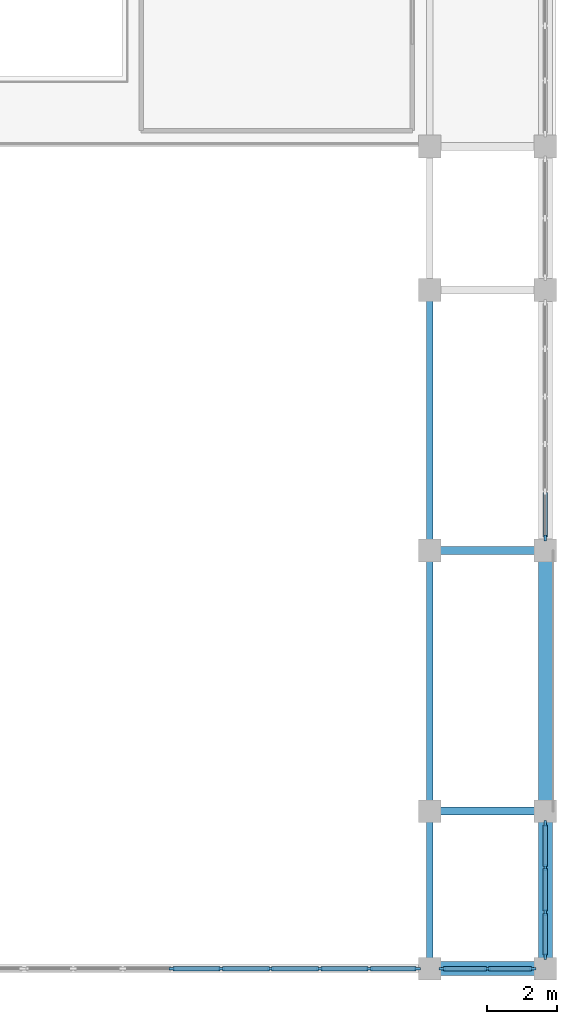
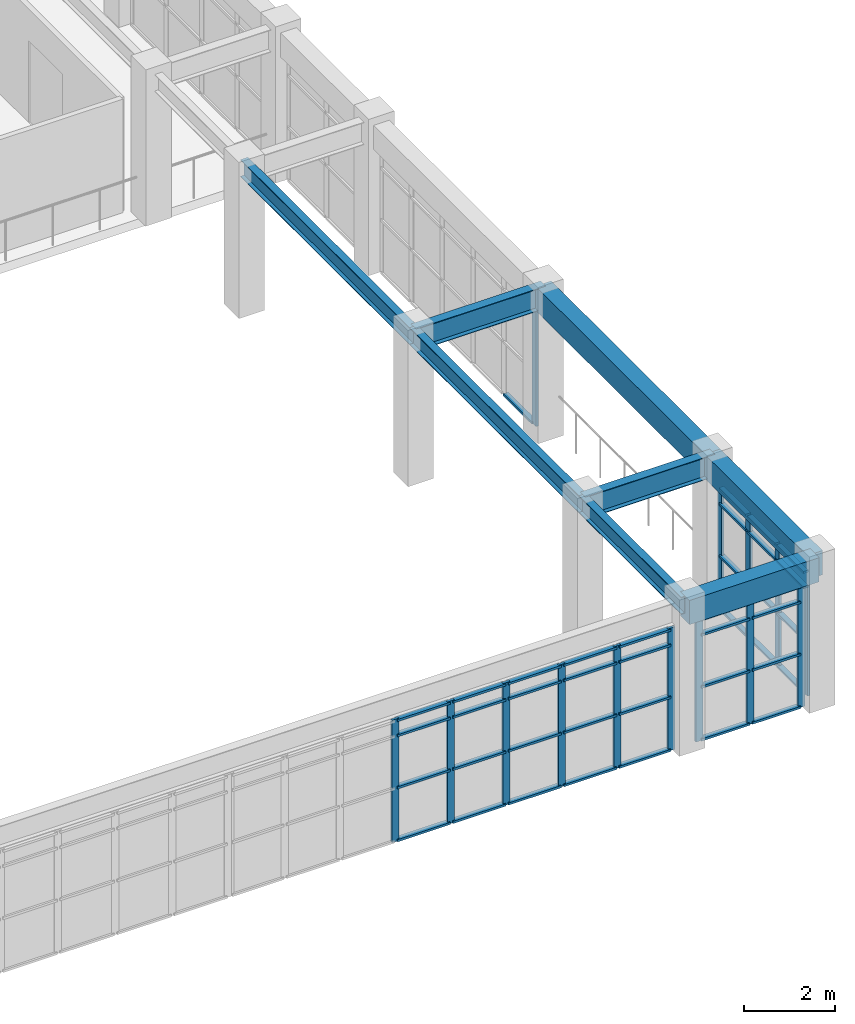
# One storey, part 21 of 66: 55 members, 8 beams, 4 elements without a shape of their own.
"""IFC4 building model written with IfcOpenShell, lengths in metres."""

from ifc_helpers import new_model, si_unit, direction, frame, origin, origin_2d, place, context, subcontext, project, spatial, rectangle, i_section, extrude, material, layer, layer_set, material_profile, profile_set, type_object, element, aggregate, save


model = new_model("IFC4")

# Units and contexts
model_context = context("Model", 3, precision=1e-05, world=origin(), true_north=direction((0.0, 1.0)))
body_context = subcontext(model_context, "Body", "Model", "MODEL_VIEW")
ifc_project = project(units=[si_unit("LENGTHUNIT", "METRE"), si_unit("AREAUNIT", "SQUARE_METRE"), si_unit("VOLUMEUNIT", "CUBIC_METRE"), si_unit("PLANEANGLEUNIT", "RADIAN"), si_unit("MASSUNIT", "GRAM", prefix="KILO")], contexts=[model_context])

# Site, building, storey
site_placement = place(None, origin())
site = spatial("IfcSite", under=ifc_project, at=site_placement, CompositionType="ELEMENT")
building_placement = place(site_placement, origin())
building = spatial("IfcBuilding", under=site, at=building_placement, Name="Candilejo Ridge Gondola Terminal", CompositionType="ELEMENT")
storey_placement = place(building_placement, frame((0.0, 0.0, 14.39990234375)))
storey = spatial("IfcBuildingStorey", under=building, at=storey_placement, Name="L03", CompositionType="ELEMENT", Elevation=14.39990234375)

# Curtain wall, members
ifc_material_1 = material(Name="Anodised aluminium AA 6063-T6", Category="aluminium")
ifc_layer_1 = layer(ifc_material_1, 0.169921875)
ifc_layer_set_1 = layer_set([ifc_layer_1], Name="ARC-CW-HALL-3800-385X329")
curtain_wall_type_1 = type_object("IfcCurtainWallType", Name="ARC-CW-HALL-3800-385X329", PredefinedType="NOTDEFINED", material=ifc_layer_set_1)
curtain_wall_1_placement = place(storey_placement, origin())
curtain_wall_1 = element("IfcCurtainWall", 1, at=curtain_wall_1_placement, inside=storey, type_object=curtain_wall_type_1, Name="Curtain wall V4 L03-153", PredefinedType="NOTDEFINED")
ifc_material_2 = material(Name="Anodised aluminium AA 6063-T6", Category="aluminium")
ifc_material_profile_1 = material_profile(ifc_material_2, rectangle(XDim=0.06494140625, YDim=0.179931640625, at=origin_2d()))
ifc_profile_set_1 = profile_set([ifc_material_profile_1], Name="Anodised aluminium AA 6063-T6")
member_type_1 = type_object("IfcMemberType", Name="ARC-CW-MULLION-180", PredefinedType="MULLION", material=ifc_profile_set_1)
member_1_placement = place(storey_placement, frame((175.300048828125, 6.657470703125, 0.0), z_axis=(0.0, 0.0, 1.0), x_axis=(-1.0, 0.0, 0.0)))
member_1 = element("IfcMember", 2, at=member_1_placement, type_object=member_type_1, Name="CW-38X32 mullion 1", PredefinedType="MULLION", context=body_context, shape_type="SweptSolid", body=[
    extrude(rectangle(XDim=0.06494140625, YDim=0.179931640625, at=origin_2d()), origin(), (0.0, 0.0, 1.0), 3.2900390625),
])
member_2_placement = place(storey_placement, frame((175.300048828125, 7.908447265625, 0.0), z_axis=(0.0, 0.0, 1.0), x_axis=(-1.0, 0.0, 0.0)))
member_2 = element("IfcMember", 3, at=member_2_placement, type_object=member_type_1, Name="CW-38X32 mullion 2", PredefinedType="MULLION", context=body_context, shape_type="SweptSolid", body=[
    extrude(rectangle(XDim=0.06494140625, YDim=0.179931640625, at=origin_2d()), origin(), (0.0, 0.0, 1.0), 3.2900390625),
])
member_3_placement = place(storey_placement, frame((175.300048828125, 9.191650390625, 0.0), z_axis=(0.0, 0.0, 1.0), x_axis=(-1.0, 0.0, 0.0)))
member_3 = element("IfcMember", 4, at=member_3_placement, type_object=member_type_1, Name="CW-38X32 mullion 3", PredefinedType="MULLION", context=body_context, shape_type="SweptSolid", body=[
    extrude(rectangle(XDim=0.06494140625, YDim=0.179931640625, at=origin_2d()), origin(), (0.0, 0.0, 1.0), 3.2900390625),
])
member_4_placement = place(storey_placement, frame((175.300048828125, 10.4423828125, 0.0), z_axis=(0.0, 0.0, 1.0), x_axis=(-1.0, 0.0, 0.0)))
member_4 = element("IfcMember", 5, at=member_4_placement, type_object=member_type_1, Name="CW-38X32 mullion 4", PredefinedType="MULLION", context=body_context, shape_type="SweptSolid", body=[
    extrude(rectangle(XDim=0.06494140625, YDim=0.179931640625, at=origin_2d()), origin(), (0.0, 0.0, 1.0), 3.2900390625),
])

# Curtain wall, member
ifc_material_3 = material(Name="Anodised aluminium AA 6063-T6", Category="aluminium")
ifc_layer_2 = layer(ifc_material_3, 0.169921875)
ifc_layer_set_2 = layer_set([ifc_layer_2], Name="ARC-CW-HALL-3800-680X329")
curtain_wall_type_2 = type_object("IfcCurtainWallType", Name="ARC-CW-HALL-3800-680X329", PredefinedType="NOTDEFINED", material=ifc_layer_set_2)
curtain_wall_2_placement = place(storey_placement, origin())
curtain_wall_2 = element("IfcCurtainWall", 6, at=curtain_wall_2_placement, inside=storey, type_object=curtain_wall_type_2, Name="Curtain wall V4 L03-156", PredefinedType="NOTDEFINED")
member_5_placement = place(storey_placement, frame((175.300048828125, 18.607421875, 0.0), z_axis=(0.0, 0.0, 1.0), x_axis=(-1.0, 0.0, 0.0)))
member_5 = element("IfcMember", 7, at=member_5_placement, type_object=member_type_1, Name="CW-68X32 mullion 1", PredefinedType="MULLION", context=body_context, shape_type="SweptSolid", body=[
    extrude(rectangle(XDim=0.06494140625, YDim=0.179931640625, at=origin_2d()), origin(), (0.0, 0.0, 1.0), 3.2900390625),
])

# Curtain wall, members
ifc_material_4 = material(Name="Anodised aluminium AA 6063-T6", Category="aluminium")
ifc_layer_3 = layer(ifc_material_4, 0.169921875)
ifc_layer_set_3 = layer_set([ifc_layer_3], Name="ARC-CW-HALL-3800-265X329")
curtain_wall_type_3 = type_object("IfcCurtainWallType", Name="ARC-CW-HALL-3800-265X329", PredefinedType="NOTDEFINED", material=ifc_layer_set_3)
curtain_wall_3_placement = place(storey_placement, origin())
curtain_wall_3 = element("IfcCurtainWall", 8, at=curtain_wall_3_placement, inside=storey, type_object=curtain_wall_type_3, Name="Curtain wall V4 L03-165", PredefinedType="NOTDEFINED")
member_6_placement = place(storey_placement, frame((172.357421875, 6.300048828125, 0.0), z_axis=(0.0, 0.0, 1.0), x_axis=(0.0, 1.0, 0.0)))
member_6 = element("IfcMember", 9, at=member_6_placement, type_object=member_type_1, Name="CW-26X32 mullion 1", PredefinedType="MULLION", context=body_context, shape_type="SweptSolid", body=[
    extrude(rectangle(XDim=0.06494140625, YDim=0.179931640625, at=origin_2d()), origin(), (0.0, 0.0, 1.0), 3.2900390625),
])
member_7_placement = place(storey_placement, frame((173.64990234375, 6.300048828125, 0.0), z_axis=(0.0, 0.0, 1.0), x_axis=(0.0, 1.0, 0.0)))
member_7 = element("IfcMember", 10, at=member_7_placement, type_object=member_type_1, Name="CW-26X32 mullion 2", PredefinedType="MULLION", context=body_context, shape_type="SweptSolid", body=[
    extrude(rectangle(XDim=0.06494140625, YDim=0.179931640625, at=origin_2d()), origin(), (0.0, 0.0, 1.0), 3.2900390625),
])
member_8_placement = place(storey_placement, frame((174.9423828125, 6.300048828125, 0.0), z_axis=(0.0, 0.0, 1.0), x_axis=(0.0, 1.0, 0.0)))
member_8 = element("IfcMember", 11, at=member_8_placement, type_object=member_type_1, Name="CW-26X32 mullion 3", PredefinedType="MULLION", context=body_context, shape_type="SweptSolid", body=[
    extrude(rectangle(XDim=0.06494140625, YDim=0.179931640625, at=origin_2d()), origin(), (0.0, 0.0, 1.0), 3.2900390625),
])

ifc_material_5 = material(Name="Anodised aluminium AA 6063-T6", Category="aluminium")
ifc_layer_4 = layer(ifc_material_5, 0.169921875)
ifc_layer_set_4 = layer_set([ifc_layer_4], Name="ARC-CW-HALL-3800-1128X329")
curtain_wall_type_4 = type_object("IfcCurtainWallType", Name="ARC-CW-HALL-3800-1128X329", PredefinedType="NOTDEFINED", material=ifc_layer_set_4)
curtain_wall_4_placement = place(storey_placement, origin())
curtain_wall_4 = element("IfcCurtainWall", 12, at=curtain_wall_4_placement, inside=storey, type_object=curtain_wall_type_4, Name="Curtain wall V4 L03-168", PredefinedType="NOTDEFINED")
member_9_placement = place(storey_placement, frame((164.628173828125, 6.300048828125, 0.0), z_axis=(0.0, 0.0, 1.0), x_axis=(0.0, 1.0, 0.0)))
member_9 = element("IfcMember", 13, at=member_9_placement, type_object=member_type_1, Name="CW-112X32 mullion 4", PredefinedType="MULLION", context=body_context, shape_type="SweptSolid", body=[
    extrude(rectangle(XDim=0.06494140625, YDim=0.179931640625, at=origin_2d()), origin(), (0.0, 0.0, 1.0), 3.2900390625),
])
member_10_placement = place(storey_placement, frame((166.03759765625, 6.300048828125, 0.0), z_axis=(0.0, 0.0, 1.0), x_axis=(0.0, 1.0, 0.0)))
member_10 = element("IfcMember", 14, at=member_10_placement, type_object=member_type_1, Name="CW-112X32 mullion 5", PredefinedType="MULLION", context=body_context, shape_type="SweptSolid", body=[
    extrude(rectangle(XDim=0.06494140625, YDim=0.179931640625, at=origin_2d()), origin(), (0.0, 0.0, 1.0), 3.2900390625),
])
member_11_placement = place(storey_placement, frame((167.44677734375, 6.300048828125, 0.0), z_axis=(0.0, 0.0, 1.0), x_axis=(0.0, 1.0, 0.0)))
member_11 = element("IfcMember", 15, at=member_11_placement, type_object=member_type_1, Name="CW-112X32 mullion 6", PredefinedType="MULLION", context=body_context, shape_type="SweptSolid", body=[
    extrude(rectangle(XDim=0.06494140625, YDim=0.179931640625, at=origin_2d()), origin(), (0.0, 0.0, 1.0), 3.2900390625),
])
member_12_placement = place(storey_placement, frame((168.856201171875, 6.300048828125, 0.0), z_axis=(0.0, 0.0, 1.0), x_axis=(0.0, 1.0, 0.0)))
member_12 = element("IfcMember", 16, at=member_12_placement, type_object=member_type_1, Name="CW-112X32 mullion 7", PredefinedType="MULLION", context=body_context, shape_type="SweptSolid", body=[
    extrude(rectangle(XDim=0.06494140625, YDim=0.179931640625, at=origin_2d()), origin(), (0.0, 0.0, 1.0), 3.2900390625),
])
member_13_placement = place(storey_placement, frame((170.265625, 6.300048828125, 0.0), z_axis=(0.0, 0.0, 1.0), x_axis=(0.0, 1.0, 0.0)))
member_13 = element("IfcMember", 17, at=member_13_placement, type_object=member_type_1, Name="CW-112X32 mullion 8", PredefinedType="MULLION", context=body_context, shape_type="SweptSolid", body=[
    extrude(rectangle(XDim=0.06494140625, YDim=0.179931640625, at=origin_2d()), origin(), (0.0, 0.0, 1.0), 3.2900390625),
])
member_14_placement = place(storey_placement, frame((171.642578125, 6.300048828125, 0.0), z_axis=(0.0, 0.0, 1.0), x_axis=(0.0, 1.0, 0.0)))
member_14 = element("IfcMember", 18, at=member_14_placement, type_object=member_type_1, Name="CW-112X32 mullion 9", PredefinedType="MULLION", context=body_context, shape_type="SweptSolid", body=[
    extrude(rectangle(XDim=0.06494140625, YDim=0.179931640625, at=origin_2d()), origin(), (0.0, 0.0, 1.0), 3.2900390625),
])

# Member
ifc_material_6 = material(Name="Anodised aluminium AA 6063-T6", Category="aluminium")
ifc_material_profile_2 = material_profile(ifc_material_6, rectangle(XDim=0.1298828125, YDim=0.06005859375, at=origin_2d()))
ifc_profile_set_2 = profile_set([ifc_material_profile_2], Name="Anodised aluminium AA 6063-T6")
member_type_2 = type_object("IfcMemberType", Name="ARC-CW-TRANSOM-130", PredefinedType="USERDEFINED", material=ifc_profile_set_2)
member_15_placement = place(storey_placement, frame((175.300048828125, 6.68994140625, 0.030029296875), z_axis=(0.0, 1.0, 0.0), x_axis=(-1.0, 0.0, 0.0)))
member_15 = element("IfcMember", 19, at=member_15_placement, type_object=member_type_2, Name="CW-38X32 transom 1.1", ObjectType="TRANSOM", PredefinedType="USERDEFINED", context=body_context, shape_type="SweptSolid", body=[
    extrude(rectangle(XDim=0.1298828125, YDim=0.06005859375, at=origin_2d()), origin(), (0.0, 0.0, 1.0), 1.185791015625),
])

member_16_placement = place(storey_placement, frame((175.300048828125, 6.68994140625, 1.4501953125), z_axis=(0.0, 1.0, 0.0), x_axis=(-1.0, 0.0, 0.0)))
member_16 = element("IfcMember", 20, at=member_16_placement, type_object=member_type_2, Name="CW-38X32 transom 1.2", ObjectType="TRANSOM", PredefinedType="USERDEFINED", context=body_context, shape_type="SweptSolid", body=[
    extrude(rectangle(XDim=0.1298828125, YDim=0.06005859375, at=origin_2d()), origin(), (0.0, 0.0, 1.0), 1.185791015625),
])

member_17_placement = place(storey_placement, frame((175.300048828125, 6.68994140625, 2.85009765625), z_axis=(0.0, 1.0, 0.0), x_axis=(-1.0, 0.0, 0.0)))
member_17 = element("IfcMember", 21, at=member_17_placement, type_object=member_type_2, Name="CW-38X32 transom 1.3", ObjectType="TRANSOM", PredefinedType="USERDEFINED", context=body_context, shape_type="SweptSolid", body=[
    extrude(rectangle(XDim=0.1298828125, YDim=0.06005859375, at=origin_2d()), origin(), (0.0, 0.0, 1.0), 1.185791015625),
])

member_18_placement = place(storey_placement, frame((175.300048828125, 6.68994140625, 3.260009765625), z_axis=(0.0, 1.0, 0.0), x_axis=(-1.0, 0.0, 0.0)))
member_18 = element("IfcMember", 22, at=member_18_placement, type_object=member_type_2, Name="CW-38X32 transom 1.4", ObjectType="TRANSOM", PredefinedType="USERDEFINED", context=body_context, shape_type="SweptSolid", body=[
    extrude(rectangle(XDim=0.1298828125, YDim=0.06005859375, at=origin_2d()), origin(), (0.0, 0.0, 1.0), 1.185791015625),
])

member_19_placement = place(storey_placement, frame((175.300048828125, 7.94091796875, 0.030029296875), z_axis=(0.0, 1.0, 0.0), x_axis=(-1.0, 0.0, 0.0)))
member_19 = element("IfcMember", 23, at=member_19_placement, type_object=member_type_2, Name="CW-38X32 transom 2.1", ObjectType="TRANSOM", PredefinedType="USERDEFINED", context=body_context, shape_type="SweptSolid", body=[
    extrude(rectangle(XDim=0.1298828125, YDim=0.06005859375, at=origin_2d()), origin(), (0.0, 0.0, 1.0), 1.21826171875),
])

member_20_placement = place(storey_placement, frame((175.300048828125, 7.94091796875, 1.4501953125), z_axis=(0.0, 1.0, 0.0), x_axis=(-1.0, 0.0, 0.0)))
member_20 = element("IfcMember", 24, at=member_20_placement, type_object=member_type_2, Name="CW-38X32 transom 2.2", ObjectType="TRANSOM", PredefinedType="USERDEFINED", context=body_context, shape_type="SweptSolid", body=[
    extrude(rectangle(XDim=0.1298828125, YDim=0.06005859375, at=origin_2d()), origin(), (0.0, 0.0, 1.0), 1.21826171875),
])

member_21_placement = place(storey_placement, frame((175.300048828125, 7.94091796875, 2.85009765625), z_axis=(0.0, 1.0, 0.0), x_axis=(-1.0, 0.0, 0.0)))
member_21 = element("IfcMember", 25, at=member_21_placement, type_object=member_type_2, Name="CW-38X32 transom 2.3", ObjectType="TRANSOM", PredefinedType="USERDEFINED", context=body_context, shape_type="SweptSolid", body=[
    extrude(rectangle(XDim=0.1298828125, YDim=0.06005859375, at=origin_2d()), origin(), (0.0, 0.0, 1.0), 1.21826171875),
])

member_22_placement = place(storey_placement, frame((175.300048828125, 7.94091796875, 3.260009765625), z_axis=(0.0, 1.0, 0.0), x_axis=(-1.0, 0.0, 0.0)))
member_22 = element("IfcMember", 26, at=member_22_placement, type_object=member_type_2, Name="CW-38X32 transom 2.4", ObjectType="TRANSOM", PredefinedType="USERDEFINED", context=body_context, shape_type="SweptSolid", body=[
    extrude(rectangle(XDim=0.1298828125, YDim=0.06005859375, at=origin_2d()), origin(), (0.0, 0.0, 1.0), 1.21826171875),
])

member_23_placement = place(storey_placement, frame((175.300048828125, 9.22412109375, 0.030029296875), z_axis=(0.0, 1.0, 0.0), x_axis=(-1.0, 0.0, 0.0)))
member_23 = element("IfcMember", 27, at=member_23_placement, type_object=member_type_2, Name="CW-38X32 transom 3.1", ObjectType="TRANSOM", PredefinedType="USERDEFINED", context=body_context, shape_type="SweptSolid", body=[
    extrude(rectangle(XDim=0.1298828125, YDim=0.06005859375, at=origin_2d()), origin(), (0.0, 0.0, 1.0), 1.185791015625),
])

member_24_placement = place(storey_placement, frame((175.300048828125, 9.22412109375, 1.4501953125), z_axis=(0.0, 1.0, 0.0), x_axis=(-1.0, 0.0, 0.0)))
member_24 = element("IfcMember", 28, at=member_24_placement, type_object=member_type_2, Name="CW-38X32 transom 3.2", ObjectType="TRANSOM", PredefinedType="USERDEFINED", context=body_context, shape_type="SweptSolid", body=[
    extrude(rectangle(XDim=0.1298828125, YDim=0.06005859375, at=origin_2d()), origin(), (0.0, 0.0, 1.0), 1.185791015625),
])

member_25_placement = place(storey_placement, frame((175.300048828125, 9.22412109375, 2.85009765625), z_axis=(0.0, 1.0, 0.0), x_axis=(-1.0, 0.0, 0.0)))
member_25 = element("IfcMember", 29, at=member_25_placement, type_object=member_type_2, Name="CW-38X32 transom 3.3", ObjectType="TRANSOM", PredefinedType="USERDEFINED", context=body_context, shape_type="SweptSolid", body=[
    extrude(rectangle(XDim=0.1298828125, YDim=0.06005859375, at=origin_2d()), origin(), (0.0, 0.0, 1.0), 1.185791015625),
])

member_26_placement = place(storey_placement, frame((175.300048828125, 9.22412109375, 3.260009765625), z_axis=(0.0, 1.0, 0.0), x_axis=(-1.0, 0.0, 0.0)))
member_26 = element("IfcMember", 30, at=member_26_placement, type_object=member_type_2, Name="CW-38X32 transom 3.4", ObjectType="TRANSOM", PredefinedType="USERDEFINED", context=body_context, shape_type="SweptSolid", body=[
    extrude(rectangle(XDim=0.1298828125, YDim=0.06005859375, at=origin_2d()), origin(), (0.0, 0.0, 1.0), 1.185791015625),
])

aggregate(curtain_wall_1, [member_1, member_2, member_3, member_4, member_15, member_16, member_17, member_18, member_19, member_20, member_21, member_22, member_23, member_24, member_25, member_26])

member_27_placement = place(storey_placement, frame((175.300048828125, 18.639892578125, 0.030029296875), z_axis=(0.0, 1.0, 0.0), x_axis=(-1.0, 0.0, 0.0)))
member_27 = element("IfcMember", 31, at=member_27_placement, type_object=member_type_2, Name="CW-68X32 transom 1.1", ObjectType="TRANSOM", PredefinedType="USERDEFINED", context=body_context, shape_type="SweptSolid", body=[
    extrude(rectangle(XDim=0.1298828125, YDim=0.06005859375, at=origin_2d()), origin(), (0.0, 0.0, 1.0), 1.2626953125),
])

aggregate(curtain_wall_2, [member_5, member_27])

member_28_placement = place(storey_placement, frame((172.389892578125, 6.300048828125, 0.030029296875), z_axis=(1.0, 0.0, 0.0), x_axis=(0.0, 1.0, 0.0)))
member_28 = element("IfcMember", 32, at=member_28_placement, type_object=member_type_2, Name="CW-26X32 transom 1.1", ObjectType="TRANSOM", PredefinedType="USERDEFINED", context=body_context, shape_type="SweptSolid", body=[
    extrude(rectangle(XDim=0.1298828125, YDim=0.06005859375, at=origin_2d()), origin(), (0.0, 0.0, 1.0), 1.2275390625),
])

member_29_placement = place(storey_placement, frame((172.389892578125, 6.300048828125, 1.4501953125), z_axis=(1.0, 0.0, 0.0), x_axis=(0.0, 1.0, 0.0)))
member_29 = element("IfcMember", 33, at=member_29_placement, type_object=member_type_2, Name="CW-26X32 transom 1.2", ObjectType="TRANSOM", PredefinedType="USERDEFINED", context=body_context, shape_type="SweptSolid", body=[
    extrude(rectangle(XDim=0.1298828125, YDim=0.06005859375, at=origin_2d()), origin(), (0.0, 0.0, 1.0), 1.2275390625),
])

member_30_placement = place(storey_placement, frame((172.389892578125, 6.300048828125, 2.85009765625), z_axis=(1.0, 0.0, 0.0), x_axis=(0.0, 1.0, 0.0)))
member_30 = element("IfcMember", 34, at=member_30_placement, type_object=member_type_2, Name="CW-26X32 transom 1.3", ObjectType="TRANSOM", PredefinedType="USERDEFINED", context=body_context, shape_type="SweptSolid", body=[
    extrude(rectangle(XDim=0.1298828125, YDim=0.06005859375, at=origin_2d()), origin(), (0.0, 0.0, 1.0), 1.2275390625),
])

member_31_placement = place(storey_placement, frame((172.389892578125, 6.300048828125, 3.260009765625), z_axis=(1.0, 0.0, 0.0), x_axis=(0.0, 1.0, 0.0)))
member_31 = element("IfcMember", 35, at=member_31_placement, type_object=member_type_2, Name="CW-26X32 transom 1.4", ObjectType="TRANSOM", PredefinedType="USERDEFINED", context=body_context, shape_type="SweptSolid", body=[
    extrude(rectangle(XDim=0.1298828125, YDim=0.06005859375, at=origin_2d()), origin(), (0.0, 0.0, 1.0), 1.2275390625),
])

member_32_placement = place(storey_placement, frame((173.6826171875, 6.300048828125, 0.030029296875), z_axis=(1.0, 0.0, 0.0), x_axis=(0.0, 1.0, 0.0)))
member_32 = element("IfcMember", 36, at=member_32_placement, type_object=member_type_2, Name="CW-26X32 transom 2.1", ObjectType="TRANSOM", PredefinedType="USERDEFINED", context=body_context, shape_type="SweptSolid", body=[
    extrude(rectangle(XDim=0.1298828125, YDim=0.06005859375, at=origin_2d()), origin(), (0.0, 0.0, 1.0), 1.227294921875),
])

member_33_placement = place(storey_placement, frame((173.6826171875, 6.300048828125, 1.4501953125), z_axis=(1.0, 0.0, 0.0), x_axis=(0.0, 1.0, 0.0)))
member_33 = element("IfcMember", 37, at=member_33_placement, type_object=member_type_2, Name="CW-26X32 transom 2.2", ObjectType="TRANSOM", PredefinedType="USERDEFINED", context=body_context, shape_type="SweptSolid", body=[
    extrude(rectangle(XDim=0.1298828125, YDim=0.06005859375, at=origin_2d()), origin(), (0.0, 0.0, 1.0), 1.227294921875),
])

member_34_placement = place(storey_placement, frame((173.6826171875, 6.300048828125, 2.85009765625), z_axis=(1.0, 0.0, 0.0), x_axis=(0.0, 1.0, 0.0)))
member_34 = element("IfcMember", 38, at=member_34_placement, type_object=member_type_2, Name="CW-26X32 transom 2.3", ObjectType="TRANSOM", PredefinedType="USERDEFINED", context=body_context, shape_type="SweptSolid", body=[
    extrude(rectangle(XDim=0.1298828125, YDim=0.06005859375, at=origin_2d()), origin(), (0.0, 0.0, 1.0), 1.227294921875),
])

member_35_placement = place(storey_placement, frame((173.6826171875, 6.300048828125, 3.260009765625), z_axis=(1.0, 0.0, 0.0), x_axis=(0.0, 1.0, 0.0)))
member_35 = element("IfcMember", 39, at=member_35_placement, type_object=member_type_2, Name="CW-26X32 transom 2.4", ObjectType="TRANSOM", PredefinedType="USERDEFINED", context=body_context, shape_type="SweptSolid", body=[
    extrude(rectangle(XDim=0.1298828125, YDim=0.06005859375, at=origin_2d()), origin(), (0.0, 0.0, 1.0), 1.227294921875),
])

aggregate(curtain_wall_3, [member_6, member_7, member_8, member_28, member_29, member_30, member_31, member_32, member_33, member_34, member_35])

member_36_placement = place(storey_placement, frame((164.66064453125, 6.300048828125, 0.030029296875), z_axis=(1.0, 0.0, 0.0), x_axis=(0.0, 1.0, 0.0)))
member_36 = element("IfcMember", 40, at=member_36_placement, type_object=member_type_2, Name="CW-112X32 transom 4.1", ObjectType="TRANSOM", PredefinedType="USERDEFINED", context=body_context, shape_type="SweptSolid", body=[
    extrude(rectangle(XDim=0.1298828125, YDim=0.06005859375, at=origin_2d()), origin(), (0.0, 0.0, 1.0), 1.34423828125),
])

member_37_placement = place(storey_placement, frame((164.66064453125, 6.300048828125, 1.4501953125), z_axis=(1.0, 0.0, 0.0), x_axis=(0.0, 1.0, 0.0)))
member_37 = element("IfcMember", 41, at=member_37_placement, type_object=member_type_2, Name="CW-112X32 transom 4.2", ObjectType="TRANSOM", PredefinedType="USERDEFINED", context=body_context, shape_type="SweptSolid", body=[
    extrude(rectangle(XDim=0.1298828125, YDim=0.06005859375, at=origin_2d()), origin(), (0.0, 0.0, 1.0), 1.34423828125),
])

member_38_placement = place(storey_placement, frame((164.66064453125, 6.300048828125, 2.85009765625), z_axis=(1.0, 0.0, 0.0), x_axis=(0.0, 1.0, 0.0)))
member_38 = element("IfcMember", 42, at=member_38_placement, type_object=member_type_2, Name="CW-112X32 transom 4.3", ObjectType="TRANSOM", PredefinedType="USERDEFINED", context=body_context, shape_type="SweptSolid", body=[
    extrude(rectangle(XDim=0.1298828125, YDim=0.06005859375, at=origin_2d()), origin(), (0.0, 0.0, 1.0), 1.34423828125),
])

member_39_placement = place(storey_placement, frame((164.66064453125, 6.300048828125, 3.260009765625), z_axis=(1.0, 0.0, 0.0), x_axis=(0.0, 1.0, 0.0)))
member_39 = element("IfcMember", 43, at=member_39_placement, type_object=member_type_2, Name="CW-112X32 transom 4.4", ObjectType="TRANSOM", PredefinedType="USERDEFINED", context=body_context, shape_type="SweptSolid", body=[
    extrude(rectangle(XDim=0.1298828125, YDim=0.06005859375, at=origin_2d()), origin(), (0.0, 0.0, 1.0), 1.34423828125),
])

member_40_placement = place(storey_placement, frame((166.070068359375, 6.300048828125, 0.030029296875), z_axis=(1.0, 0.0, 0.0), x_axis=(0.0, 1.0, 0.0)))
member_40 = element("IfcMember", 44, at=member_40_placement, type_object=member_type_2, Name="CW-112X32 transom 5.1", ObjectType="TRANSOM", PredefinedType="USERDEFINED", context=body_context, shape_type="SweptSolid", body=[
    extrude(rectangle(XDim=0.1298828125, YDim=0.06005859375, at=origin_2d()), origin(), (0.0, 0.0, 1.0), 1.34423828125),
])

member_41_placement = place(storey_placement, frame((166.070068359375, 6.300048828125, 1.4501953125), z_axis=(1.0, 0.0, 0.0), x_axis=(0.0, 1.0, 0.0)))
member_41 = element("IfcMember", 45, at=member_41_placement, type_object=member_type_2, Name="CW-112X32 transom 5.2", ObjectType="TRANSOM", PredefinedType="USERDEFINED", context=body_context, shape_type="SweptSolid", body=[
    extrude(rectangle(XDim=0.1298828125, YDim=0.06005859375, at=origin_2d()), origin(), (0.0, 0.0, 1.0), 1.34423828125),
])

member_42_placement = place(storey_placement, frame((166.070068359375, 6.300048828125, 2.85009765625), z_axis=(1.0, 0.0, 0.0), x_axis=(0.0, 1.0, 0.0)))
member_42 = element("IfcMember", 46, at=member_42_placement, type_object=member_type_2, Name="CW-112X32 transom 5.3", ObjectType="TRANSOM", PredefinedType="USERDEFINED", context=body_context, shape_type="SweptSolid", body=[
    extrude(rectangle(XDim=0.1298828125, YDim=0.06005859375, at=origin_2d()), origin(), (0.0, 0.0, 1.0), 1.34423828125),
])

member_43_placement = place(storey_placement, frame((166.070068359375, 6.300048828125, 3.260009765625), z_axis=(1.0, 0.0, 0.0), x_axis=(0.0, 1.0, 0.0)))
member_43 = element("IfcMember", 47, at=member_43_placement, type_object=member_type_2, Name="CW-112X32 transom 5.4", ObjectType="TRANSOM", PredefinedType="USERDEFINED", context=body_context, shape_type="SweptSolid", body=[
    extrude(rectangle(XDim=0.1298828125, YDim=0.06005859375, at=origin_2d()), origin(), (0.0, 0.0, 1.0), 1.34423828125),
])

member_44_placement = place(storey_placement, frame((167.4794921875, 6.300048828125, 0.030029296875), z_axis=(1.0, 0.0, 0.0), x_axis=(0.0, 1.0, 0.0)))
member_44 = element("IfcMember", 48, at=member_44_placement, type_object=member_type_2, Name="CW-112X32 transom 6.1", ObjectType="TRANSOM", PredefinedType="USERDEFINED", context=body_context, shape_type="SweptSolid", body=[
    extrude(rectangle(XDim=0.1298828125, YDim=0.06005859375, at=origin_2d()), origin(), (0.0, 0.0, 1.0), 1.34423828125),
])

member_45_placement = place(storey_placement, frame((167.4794921875, 6.300048828125, 1.4501953125), z_axis=(1.0, 0.0, 0.0), x_axis=(0.0, 1.0, 0.0)))
member_45 = element("IfcMember", 49, at=member_45_placement, type_object=member_type_2, Name="CW-112X32 transom 6.2", ObjectType="TRANSOM", PredefinedType="USERDEFINED", context=body_context, shape_type="SweptSolid", body=[
    extrude(rectangle(XDim=0.1298828125, YDim=0.06005859375, at=origin_2d()), origin(), (0.0, 0.0, 1.0), 1.34423828125),
])

member_46_placement = place(storey_placement, frame((167.4794921875, 6.300048828125, 2.85009765625), z_axis=(1.0, 0.0, 0.0), x_axis=(0.0, 1.0, 0.0)))
member_46 = element("IfcMember", 50, at=member_46_placement, type_object=member_type_2, Name="CW-112X32 transom 6.3", ObjectType="TRANSOM", PredefinedType="USERDEFINED", context=body_context, shape_type="SweptSolid", body=[
    extrude(rectangle(XDim=0.1298828125, YDim=0.06005859375, at=origin_2d()), origin(), (0.0, 0.0, 1.0), 1.34423828125),
])

member_47_placement = place(storey_placement, frame((167.4794921875, 6.300048828125, 3.260009765625), z_axis=(1.0, 0.0, 0.0), x_axis=(0.0, 1.0, 0.0)))
member_47 = element("IfcMember", 51, at=member_47_placement, type_object=member_type_2, Name="CW-112X32 transom 6.4", ObjectType="TRANSOM", PredefinedType="USERDEFINED", context=body_context, shape_type="SweptSolid", body=[
    extrude(rectangle(XDim=0.1298828125, YDim=0.06005859375, at=origin_2d()), origin(), (0.0, 0.0, 1.0), 1.34423828125),
])

member_48_placement = place(storey_placement, frame((168.888671875, 6.300048828125, 0.030029296875), z_axis=(1.0, 0.0, 0.0), x_axis=(0.0, 1.0, 0.0)))
member_48 = element("IfcMember", 52, at=member_48_placement, type_object=member_type_2, Name="CW-112X32 transom 7.1", ObjectType="TRANSOM", PredefinedType="USERDEFINED", context=body_context, shape_type="SweptSolid", body=[
    extrude(rectangle(XDim=0.1298828125, YDim=0.06005859375, at=origin_2d()), origin(), (0.0, 0.0, 1.0), 1.344482421875),
])

member_49_placement = place(storey_placement, frame((168.888671875, 6.300048828125, 1.4501953125), z_axis=(1.0, 0.0, 0.0), x_axis=(0.0, 1.0, 0.0)))
member_49 = element("IfcMember", 53, at=member_49_placement, type_object=member_type_2, Name="CW-112X32 transom 7.2", ObjectType="TRANSOM", PredefinedType="USERDEFINED", context=body_context, shape_type="SweptSolid", body=[
    extrude(rectangle(XDim=0.1298828125, YDim=0.06005859375, at=origin_2d()), origin(), (0.0, 0.0, 1.0), 1.344482421875),
])

member_50_placement = place(storey_placement, frame((168.888671875, 6.300048828125, 2.85009765625), z_axis=(1.0, 0.0, 0.0), x_axis=(0.0, 1.0, 0.0)))
member_50 = element("IfcMember", 54, at=member_50_placement, type_object=member_type_2, Name="CW-112X32 transom 7.3", ObjectType="TRANSOM", PredefinedType="USERDEFINED", context=body_context, shape_type="SweptSolid", body=[
    extrude(rectangle(XDim=0.1298828125, YDim=0.06005859375, at=origin_2d()), origin(), (0.0, 0.0, 1.0), 1.344482421875),
])

member_51_placement = place(storey_placement, frame((168.888671875, 6.300048828125, 3.260009765625), z_axis=(1.0, 0.0, 0.0), x_axis=(0.0, 1.0, 0.0)))
member_51 = element("IfcMember", 55, at=member_51_placement, type_object=member_type_2, Name="CW-112X32 transom 7.4", ObjectType="TRANSOM", PredefinedType="USERDEFINED", context=body_context, shape_type="SweptSolid", body=[
    extrude(rectangle(XDim=0.1298828125, YDim=0.06005859375, at=origin_2d()), origin(), (0.0, 0.0, 1.0), 1.344482421875),
])

member_52_placement = place(storey_placement, frame((170.298095703125, 6.300048828125, 0.030029296875), z_axis=(1.0, 0.0, 0.0), x_axis=(0.0, 1.0, 0.0)))
member_52 = element("IfcMember", 56, at=member_52_placement, type_object=member_type_2, Name="CW-112X32 transom 8.1", ObjectType="TRANSOM", PredefinedType="USERDEFINED", context=body_context, shape_type="SweptSolid", body=[
    extrude(rectangle(XDim=0.1298828125, YDim=0.06005859375, at=origin_2d()), origin(), (0.0, 0.0, 1.0), 1.31201171875),
])

member_53_placement = place(storey_placement, frame((170.298095703125, 6.300048828125, 1.4501953125), z_axis=(1.0, 0.0, 0.0), x_axis=(0.0, 1.0, 0.0)))
member_53 = element("IfcMember", 57, at=member_53_placement, type_object=member_type_2, Name="CW-112X32 transom 8.2", ObjectType="TRANSOM", PredefinedType="USERDEFINED", context=body_context, shape_type="SweptSolid", body=[
    extrude(rectangle(XDim=0.1298828125, YDim=0.06005859375, at=origin_2d()), origin(), (0.0, 0.0, 1.0), 1.31201171875),
])

member_54_placement = place(storey_placement, frame((170.298095703125, 6.300048828125, 2.85009765625), z_axis=(1.0, 0.0, 0.0), x_axis=(0.0, 1.0, 0.0)))
member_54 = element("IfcMember", 58, at=member_54_placement, type_object=member_type_2, Name="CW-112X32 transom 8.3", ObjectType="TRANSOM", PredefinedType="USERDEFINED", context=body_context, shape_type="SweptSolid", body=[
    extrude(rectangle(XDim=0.1298828125, YDim=0.06005859375, at=origin_2d()), origin(), (0.0, 0.0, 1.0), 1.31201171875),
])

member_55_placement = place(storey_placement, frame((170.298095703125, 6.300048828125, 3.260009765625), z_axis=(1.0, 0.0, 0.0), x_axis=(0.0, 1.0, 0.0)))
member_55 = element("IfcMember", 59, at=member_55_placement, type_object=member_type_2, Name="CW-112X32 transom 8.4", ObjectType="TRANSOM", PredefinedType="USERDEFINED", context=body_context, shape_type="SweptSolid", body=[
    extrude(rectangle(XDim=0.1298828125, YDim=0.06005859375, at=origin_2d()), origin(), (0.0, 0.0, 1.0), 1.31201171875),
])

aggregate(curtain_wall_4, [member_9, member_10, member_11, member_12, member_13, member_14, member_36, member_37, member_38, member_39, member_40, member_41, member_42, member_43, member_44, member_45, member_46, member_47, member_48, member_49, member_50, member_51, member_52, member_53, member_54, member_55])

# Beams
ifc_material_7 = material(Name="Steel ASTM A992 Grade 50", Category="steel")
ifc_material_profile_3 = material_profile(ifc_material_7, i_section(OverallWidth=0.19189453125, OverallDepth=0.462890625, WebThickness=0.010498046875, FlangeThickness=0.017578125, at=origin_2d()))
ifc_profile_set_3 = profile_set([ifc_material_profile_3], Name="Steel ASTM A992 Grade 50")
beam_type_1 = type_object("IfcBeamType", Name="STR-BM-W460X89", PredefinedType="BEAM", material=ifc_profile_set_3)
beam_1_placement = place(storey_placement, frame((172.0, 6.300048828125, 3.7685546875), z_axis=(0.0, 1.0, 0.0), x_axis=(-1.0, 0.0, 0.0)))
element("IfcBeam", 60, at=beam_1_placement, inside=storey, type_object=beam_type_1, Name="Beam Y V4 L03 Y01-Y02@X26", PredefinedType="BEAM", context=body_context, shape_type="SweptSolid", body=[
    extrude(i_section(OverallWidth=0.19189453125, OverallDepth=0.462890625, WebThickness=0.010498046875, FlangeThickness=0.017578125, at=origin_2d()), origin(), (0.0, 0.0, 1.0), 4.5),
])
for number, where, z_axis, x_axis, name in (
    (61, (172.0, 10.800048828125, 3.7685546875), (0.0, 1.0, 0.0), (-1.0, 0.0, 0.0), "Beam Y V4 L03 Y02-Y03@X26"),
    (62, (172.0, 18.25, 3.7685546875), (0.0, 1.0, 0.0), (-1.0, 0.0, 0.0), "Beam Y V4 L03 Y03-Y05@X26"),
):
    element("IfcBeam", number, at=place(storey_placement, frame(where, z_axis=z_axis, x_axis=x_axis)), inside=storey, type_object=beam_type_1, Name=name, PredefinedType="BEAM", context=body_context, shape_type="SweptSolid", body=[
        extrude(i_section(OverallWidth=0.19189453125, OverallDepth=0.462890625, WebThickness=0.010498046875, FlangeThickness=0.017578125, at=origin_2d()), origin(), (0.0, 0.0, 1.0), 7.449951171875),
    ])
ifc_material_8 = material(Name="Steel ASTM A992 Grade 50", Category="steel")
ifc_material_profile_4 = material_profile(ifc_material_8, i_section(OverallWidth=0.22802734375, OverallDepth=0.60302734375, WebThickness=0.010498046875, FlangeThickness=0.014892578125, at=origin_2d()))
ifc_profile_set_4 = profile_set([ifc_material_profile_4], Name="Steel ASTM A992 Grade 50")
beam_type_2 = type_object("IfcBeamType", Name="STR-BM-W610X101", PredefinedType="BEAM", material=ifc_profile_set_4)
for number, where, z_axis, x_axis, name in (
    (63, (172.0, 10.800048828125, 3.698486328125), (1.0, 0.0, 0.0), (0.0, 1.0, 0.0), "Beam X V4 L03 X26-X27@Y02"),
    (64, (172.0, 18.25, 3.698486328125), (1.0, 0.0, 0.0), (0.0, 1.0, 0.0), "Beam X V4 L03 X26-X27@Y03"),
):
    element("IfcBeam", number, at=place(storey_placement, frame(where, z_axis=z_axis, x_axis=x_axis)), inside=storey, type_object=beam_type_2, Name=name, PredefinedType="BEAM", context=body_context, shape_type="SweptSolid", body=[
        extrude(i_section(OverallWidth=0.22802734375, OverallDepth=0.60302734375, WebThickness=0.010498046875, FlangeThickness=0.014892578125, at=origin_2d()), origin(), (0.0, 0.0, 1.0), 3.300048828125),
    ])
ifc_material_9 = material(Name="Concrete f'c 35 MPa (C35/45)", Category="concrete")
ifc_material_profile_5 = material_profile(ifc_material_9, rectangle(XDim=0.39990234375, YDim=0.64990234375, at=origin_2d()))
ifc_profile_set_5 = profile_set([ifc_material_profile_5], Name="Concrete f'c 35 MPa (C35/45)")
beam_type_3 = type_object("IfcBeamType", Name="STR-SPN-RC400X650", PredefinedType="SPANDREL", material=ifc_profile_set_5)
beam_2_placement = place(storey_placement, frame((172.0, 6.300048828125, 3.675048828125), z_axis=(1.0, 0.0, 0.0), x_axis=(0.0, 1.0, 0.0)))
element("IfcBeam", 65, at=beam_2_placement, inside=storey, type_object=beam_type_3, Name="Beam X V4 L03 X26-X27@Y01", PredefinedType="SPANDREL", context=body_context, shape_type="SweptSolid", body=[
    extrude(rectangle(XDim=0.39990234375, YDim=0.64990234375, at=origin_2d()), origin(), (0.0, 0.0, 1.0), 3.300048828125),
])
beam_3_placement = place(storey_placement, frame((175.300048828125, 6.300048828125, 3.675048828125), z_axis=(0.0, 1.0, 0.0), x_axis=(-1.0, 0.0, 0.0)))
element("IfcBeam", 66, at=beam_3_placement, inside=storey, type_object=beam_type_3, Name="Beam Y V4 L03 Y01-Y02@X27", PredefinedType="SPANDREL", context=body_context, shape_type="SweptSolid", body=[
    extrude(rectangle(XDim=0.39990234375, YDim=0.64990234375, at=origin_2d()), origin(), (0.0, 0.0, 1.0), 4.5),
])
beam_4_placement = place(storey_placement, frame((175.300048828125, 10.800048828125, 3.675048828125), z_axis=(0.0, 1.0, 0.0), x_axis=(-1.0, 0.0, 0.0)))
element("IfcBeam", 67, at=beam_4_placement, inside=storey, type_object=beam_type_3, Name="Beam Y V4 L03 Y02-Y03@X27", PredefinedType="SPANDREL", context=body_context, shape_type="SweptSolid", body=[
    extrude(rectangle(XDim=0.39990234375, YDim=0.64990234375, at=origin_2d()), origin(), (0.0, 0.0, 1.0), 7.449951171875),
])

save(model, "model.ifc")
